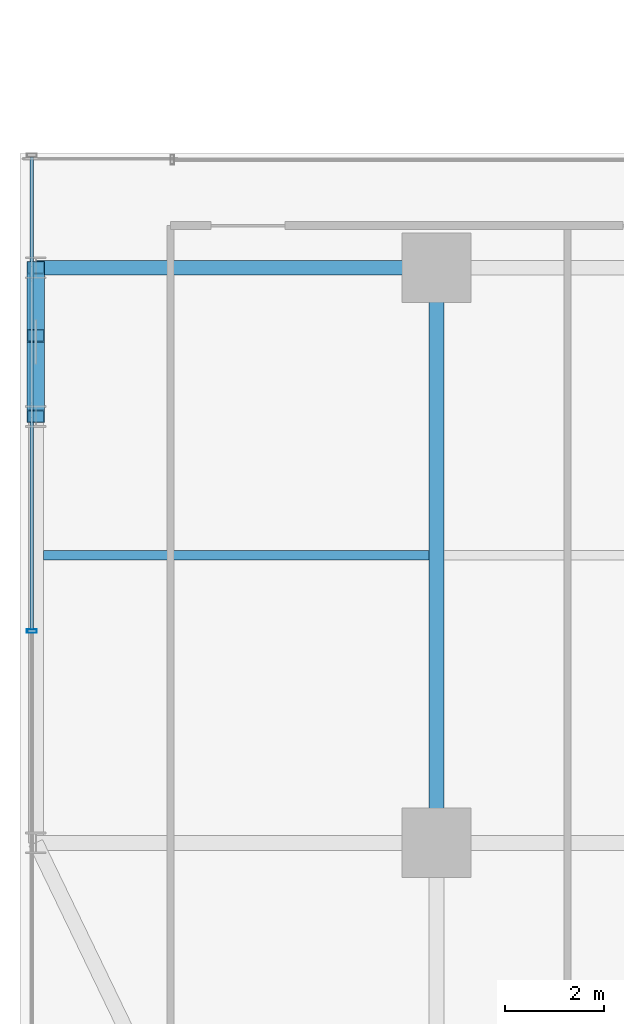
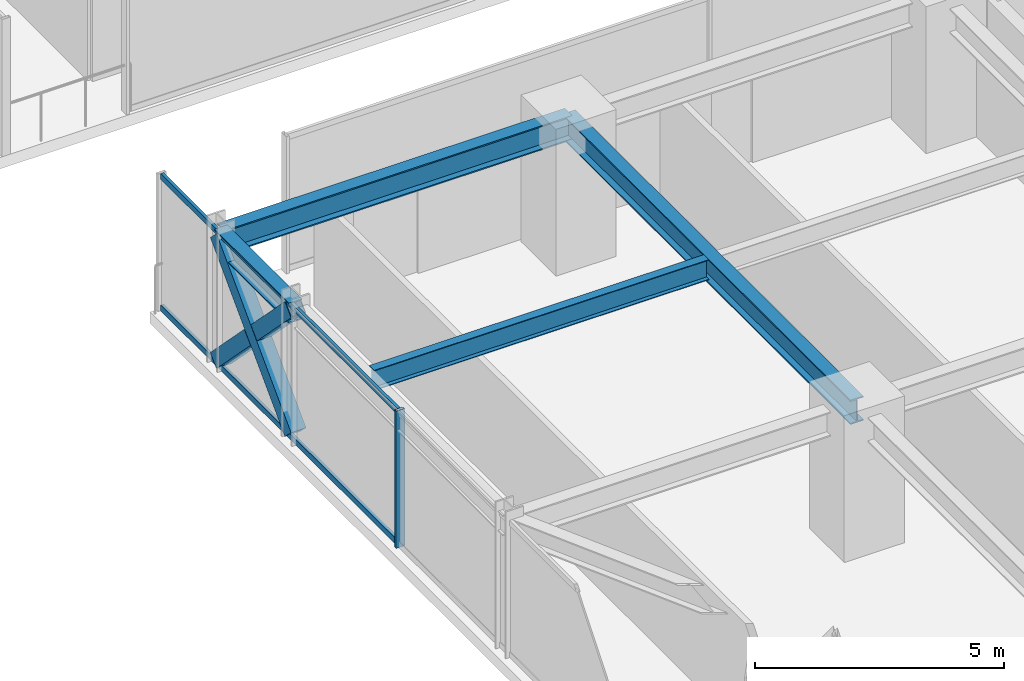
# One storey, part 7 of 43: 6 members, 4 beams, 1 element without a shape of its own.
"""IFC4 building model written with IfcOpenShell, lengths in metres."""

import ifcopenshell
import ifcopenshell.guid

model = None  # the IFC model being written
_history = None  # IfcOwnerHistory: only IFC2X3 demands one
_inside = {}  # id of a spatial element -> (the spatial element, [elements in it])
_under = {}  # id of a project, library or spatial element -> (it, [spatial elements below it])
_declared = {}  # id of a project -> (the project, [libraries it declares])
_typed = {}  # id of a type object -> (the type object, [elements of that type])
_made_of = {}  # id of a material, layer set ... -> (it, [elements and type objects made of it])


def new_model(schema):
    """Start an empty IFC model of exactly this schema.

    Asked for "IFC4X3", IfcOpenShell would pick the latest addendum, in which some entities
    have other attributes; the version numbers below select the first issue.
    IFC2X3 requires an IfcOwnerHistory on every rooted entity: one is made here for all.
    """
    global model, _history
    if schema == "IFC4X3":
        model = ifcopenshell.file(schema_version=(4, 3, 0, 0))
    else:
        model = ifcopenshell.file(schema=schema)
    _inside.clear()
    _under.clear()
    _declared.clear()
    _typed.clear()
    _made_of.clear()
    _history = None
    if model.schema == "IFC2X3":
        org = make("IfcOrganization", Name="unknown")
        user = make(
            "IfcPersonAndOrganization",
            ThePerson=make("IfcPerson", FamilyName="unknown"),
            TheOrganization=org,
        )
        app = make(
            "IfcApplication",
            ApplicationDeveloper=org,
            Version="unknown",
            ApplicationFullName="unknown",
            ApplicationIdentifier="unknown",
        )
        _history = make(
            "IfcOwnerHistory",
            OwningUser=user,
            OwningApplication=app,
            ChangeAction="ADDED",
            CreationDate=0,
        )
    return model


def make(cls, **values):
    """One entity of the class cls with the attributes given. An attribute that is None is left unset."""
    return model.create_entity(
        cls, **{name: value for name, value in values.items() if value is not None}
    )


def rooted(cls, **values):
    """An entity with a GlobalId (a new one), such as an element, a storey or a relation."""
    return make(cls, GlobalId=ifcopenshell.guid.new(), OwnerHistory=_history, **values)


def si_unit(unit_type, name, prefix=None):
    """IfcSIUnit, for example si_unit("LENGTHUNIT", "METRE", prefix="MILLI")."""
    return make("IfcSIUnit", UnitType=unit_type, Prefix=prefix, Name=name)


def assignment(units):
    """IfcUnitAssignment: the units of a project."""
    return None if units is None else make("IfcUnitAssignment", Units=units)


def point(xyz):
    """IfcCartesianPoint."""
    return None if xyz is None else make("IfcCartesianPoint", Coordinates=xyz)


def direction(xyz):
    """IfcDirection."""
    return None if xyz is None else make("IfcDirection", DirectionRatios=xyz)


def frame(location, z_axis=None, x_axis=None):
    """IfcAxis2Placement3D, a coordinate frame: its origin and axes. An axis left out is left unset."""
    return make(
        "IfcAxis2Placement3D",
        Location=point(location),
        Axis=direction(z_axis),
        RefDirection=direction(x_axis),
    )


def frame_2d(location, x_axis=None):
    """IfcAxis2Placement2D, a coordinate frame in the plane: its origin and x axis."""
    return make(
        "IfcAxis2Placement2D", Location=point(location), RefDirection=direction(x_axis)
    )


def origin():
    """The frame at (0, 0, 0) with its axes left unset."""
    return frame((0.0, 0.0, 0.0))


def origin_2d():
    """The frame at (0, 0) in the plane with its x axis left unset."""
    return frame_2d((0.0, 0.0))


def place(relative_to, where):
    """IfcLocalPlacement: puts the frame where relative to a parent placement (None: the world)."""
    return make(
        "IfcLocalPlacement", PlacementRelTo=relative_to, RelativePlacement=where
    )


def context(
    kind, dimensions, precision=None, world=None, true_north=None, identifier=None
):
    """IfcGeometricRepresentationContext, for example the 3D "Model" context."""
    return make(
        "IfcGeometricRepresentationContext",
        ContextIdentifier=identifier,
        ContextType=kind,
        CoordinateSpaceDimension=dimensions,
        Precision=precision,
        WorldCoordinateSystem=world,
        TrueNorth=true_north,
    )


def subcontext(parent, identifier, kind, view, scale=None):
    """IfcGeometricRepresentationSubContext, for example "Body" below "Model"."""
    return make(
        "IfcGeometricRepresentationSubContext",
        ContextIdentifier=identifier,
        ContextType=kind,
        ParentContext=parent,
        TargetScale=scale,
        TargetView=view,
    )


def project(units=None, contexts=None):
    """IfcProject with its units and contexts."""
    return rooted(
        "IfcProject",
        Name="project",
        RepresentationContexts=contexts,
        UnitsInContext=assignment(units),
    )


def spatial(cls, under=None, at=None, **own):
    """A site, building, storey or space (cls), placed at a placement, below another one or the project."""
    s = rooted(cls, ObjectPlacement=at, **own)
    if under is not None:
        _under.setdefault(under.id(), (under, []))[1].append(s)
    return s


def profile(cls, at=None, kind="AREA", **sizes):
    """A parametric profile (cls). Its sizes go by their IFC names, for example OverallWidth=200.0."""
    return make(cls, ProfileType=kind, Position=at, **sizes)


def hollow_rectangle(**sizes):
    """IfcRectangleHollowProfileDef."""
    return profile("IfcRectangleHollowProfileDef", **sizes)


def i_section(**sizes):
    """IfcIShapeProfileDef."""
    return profile("IfcIShapeProfileDef", **sizes)


def extrude(swept, where, along, depth):
    """IfcExtrudedAreaSolid: the profile swept, set in the frame where, extruded along a direction by depth."""
    return make(
        "IfcExtrudedAreaSolid",
        SweptArea=swept,
        Position=where,
        ExtrudedDirection=direction(along),
        Depth=depth,
    )


def shape(context_of_items, identifier, shape_type, items):
    """IfcShapeRepresentation: the items that make up one representation, for example the "Body"."""
    return make(
        "IfcShapeRepresentation",
        ContextOfItems=context_of_items,
        RepresentationIdentifier=identifier,
        RepresentationType=shape_type,
        Items=items,
    )


def source(mapping_origin, context_of_items, identifier, shape_type, items):
    """IfcRepresentationMap: a shape defined once, which mapped items show again and again."""
    return make(
        "IfcRepresentationMap",
        MappingOrigin=mapping_origin,
        MappedRepresentation=shape(context_of_items, identifier, shape_type, items),
    )


def transform(
    local_origin,
    x_axis=None,
    y_axis=None,
    z_axis=None,
    scale=None,
    scale2=None,
    scale3=None,
    uniform=True,
):
    """IfcCartesianTransformationOperator3D, or its non-uniform kind. x_axis, y_axis, z_axis: its Axis1, 2, 3."""
    if uniform:
        return make(
            "IfcCartesianTransformationOperator3D",
            Axis1=direction(x_axis),
            Axis2=direction(y_axis),
            LocalOrigin=point(local_origin),
            Scale=scale,
            Axis3=direction(z_axis),
        )
    return make(
        "IfcCartesianTransformationOperator3DnonUniform",
        Axis1=direction(x_axis),
        Axis2=direction(y_axis),
        LocalOrigin=point(local_origin),
        Scale=scale,
        Axis3=direction(z_axis),
        Scale2=scale2,
        Scale3=scale3,
    )


def mapped(mapping_source, mapping_target):
    """IfcMappedItem: shows the shape of a source again, moved by a transform."""
    return make(
        "IfcMappedItem", MappingSource=mapping_source, MappingTarget=mapping_target
    )


def material(Name=None, Category=None):
    """IfcMaterial."""
    return make("IfcMaterial", Name=Name, Category=Category)


def material_profile(
    of_material, cross_section, Name=None, Category=None, Priority=None
):
    """IfcMaterialProfile: a cross section and its material."""
    return make(
        "IfcMaterialProfile",
        Name=Name,
        Material=of_material,
        Profile=cross_section,
        Priority=Priority,
        Category=Category,
    )


def profile_set(profiles, Name=None, composite=None):
    """IfcMaterialProfileSet."""
    return make(
        "IfcMaterialProfileSet",
        Name=Name,
        MaterialProfiles=profiles,
        CompositeProfile=composite,
    )


def made_of(thing, what):
    """Note that an element or type object is made of a material, layer set ...; save() writes the relation."""
    if what is not None:
        _made_of.setdefault(what.id(), (what, []))[1].append(thing)
    return thing


def type_object(cls, material=None, **own):
    """A type object (cls), such as IfcWallType, which elements share."""
    return made_of(rooted(cls, **own), material)


def element(
    cls,
    number,
    at=None,
    inside=None,
    cuts=None,
    type_object=None,
    material=None,
    context=None,
    identifier="Body",
    shape_type=None,
    held_by="IfcProductDefinitionShape",
    body=None,
    shapes=None,
    **own,
):
    """One element of the class cls, such as IfcWall. Its Tag is "e" and its number.

    at: its placement. inside: the storey or other place that contains it. cuts: it is an
    opening in that element (IfcRelVoidsElement). A single representation is given by context,
    identifier, shape_type and body (its items); several are given by shapes. held_by: the class
    of the entity that holds the representations. save() writes the other relations.
    """
    e = rooted(cls, Tag="e%d" % number, ObjectPlacement=at, **own)
    if body is not None:
        shapes = [shape(context, identifier, shape_type, body)]
    if shapes is not None:
        e.Representation = make(held_by, Representations=shapes)
    if inside is not None:
        _inside.setdefault(inside.id(), (inside, []))[1].append(e)
    if cuts is not None:
        rooted(
            "IfcRelVoidsElement", RelatingBuildingElement=cuts, RelatedOpeningElement=e
        )
    if type_object is not None:
        _typed.setdefault(type_object.id(), (type_object, []))[1].append(e)
    return made_of(e, material)


def aggregate(whole, parts):
    """IfcRelAggregates: a whole, such as a stair, and the parts it consists of."""
    return rooted("IfcRelAggregates", RelatingObject=whole, RelatedObjects=parts)


def save(model, path):
    """Write the relations noted so far, then the file.

    IfcRelAggregates (storeys below a building ...), IfcRelContainedInSpatialStructure (elements
    in a storey), IfcRelDefinesByType, IfcRelAssociatesMaterial and IfcRelDeclares: one each for
    every whole, place, type object, material and project.
    """
    for whole, parts in _under.values():
        aggregate(whole, parts)
    for where, things in _inside.values():
        rooted(
            "IfcRelContainedInSpatialStructure",
            RelatedElements=things,
            RelatingStructure=where,
        )
    for kind, things in _typed.values():
        rooted("IfcRelDefinesByType", RelatedObjects=things, RelatingType=kind)
    for what, things in _made_of.values():
        rooted("IfcRelAssociatesMaterial", RelatedObjects=things, RelatingMaterial=what)
    for by, libraries in _declared.values():
        rooted("IfcRelDeclares", RelatingContext=by, RelatedDefinitions=libraries)
    model.write(path)


model = new_model("IFC4")

# Units and contexts
model_context = context("Model", 3, precision=1e-05, world=origin(), true_north=direction((0.0, 1.0)))
body_context = subcontext(model_context, "Body", "Model", "MODEL_VIEW")
ifc_project = project(units=[si_unit("LENGTHUNIT", "METRE"), si_unit("AREAUNIT", "SQUARE_METRE"), si_unit("VOLUMEUNIT", "CUBIC_METRE"), si_unit("PLANEANGLEUNIT", "RADIAN"), si_unit("MASSUNIT", "GRAM", prefix="KILO")], contexts=[model_context])

# Site, building, storey
site_placement = place(None, origin())
site = spatial("IfcSite", under=ifc_project, at=site_placement, CompositionType="ELEMENT")
building_placement = place(site_placement, origin())
building = spatial("IfcBuilding", under=site, at=building_placement, Name="Nahalor Promenade Grand Hotel", CompositionType="ELEMENT")
storey_placement = place(building_placement, frame((0.0, 0.0, 57.949951171875)))
storey = spatial("IfcBuildingStorey", under=building, at=storey_placement, Name="L13", CompositionType="ELEMENT", Elevation=57.949951171875)

# Beams
ifc_material_1 = material(Name="Steel S355JR", Category="steel")
ifc_material_profile_1 = material_profile(ifc_material_1, i_section(OverallWidth=0.3, OverallDepth=0.6, WebThickness=0.0155, FlangeThickness=0.03, at=origin_2d()), Name="HEB 600")
ifc_profile_set_1 = profile_set([ifc_material_profile_1], Name="Steel S355JR")
beam_type_1 = type_object("IfcBeamType", Name="Beam-Girder-HEB600", PredefinedType="BEAM", material=ifc_profile_set_1)
shared_shape_1 = source(origin(), body_context, "Body", "SweptSolid", [
    extrude(i_section(OverallWidth=0.3, OverallDepth=0.6, WebThickness=0.0155, FlangeThickness=0.03, at=origin_2d()), origin(), (0.0, 0.0, 1.0), 11.60009765625),
])
beam_1_placement = place(storey_placement, frame((-17.0, -17.0, 3.070068359375), z_axis=(0.0, 1.0, 0.0), x_axis=(-1.0, 0.0, 0.0)))
element("IfcBeam", 1, at=beam_1_placement, inside=storey, type_object=beam_type_1, Name="BM-L13-GY-0-1", PredefinedType="BEAM", context=body_context, shape_type="MappedRepresentation", body=[
    mapped(shared_shape_1, transform((0.0, 0.0, 0.0), scale=1.0)),
])
ifc_material_profile_2 = material_profile(ifc_material_1, i_section(OverallWidth=0.3, OverallDepth=0.5, WebThickness=0.0145, FlangeThickness=0.028, at=origin_2d()), Name="HEB 500")
ifc_profile_set_2 = profile_set([ifc_material_profile_2], Name="Steel S355JR")
beam_type_2 = type_object("IfcBeamType", Name="Beam-Spandrel-HEB500", PredefinedType="SPANDREL", material=ifc_profile_set_2)
shared_shape_2 = source(origin(), body_context, "Body", "SweptSolid", [
    extrude(i_section(OverallWidth=0.3, OverallDepth=0.5, WebThickness=0.0145, FlangeThickness=0.028, at=origin_2d()), origin(), (0.0, 0.0, 1.0), 3.0),
])
beam_2_placement = place(storey_placement, frame((-25.080078125, -8.39990234375, 3.1201171875), z_axis=(0.0, 1.0, 0.0), x_axis=(-1.0, 0.0, 0.0)))
element("IfcBeam", 2, at=beam_2_placement, inside=storey, type_object=beam_type_2, Name="BM-L13-SP-W-1", PredefinedType="SPANDREL", context=body_context, shape_type="MappedRepresentation", body=[
    mapped(shared_shape_2, transform((0.0, 0.0, 0.0), scale=1.0)),
])
shared_shape_3 = source(origin(), body_context, "Body", "SweptSolid", [
    extrude(i_section(OverallWidth=0.3, OverallDepth=0.6, WebThickness=0.0155, FlangeThickness=0.03, at=origin_2d()), origin(), (0.0, 0.0, 1.0), 8.080078125),
])
beam_3_placement = place(storey_placement, frame((-25.080078125, -5.39990234375, 3.070068359375), z_axis=(1.0, 0.0, 0.0), x_axis=(0.0, 1.0, 0.0)))
element("IfcBeam", 3, at=beam_3_placement, inside=storey, type_object=beam_type_1, Name="BM-L13-GX-1-0", PredefinedType="BEAM", context=body_context, shape_type="MappedRepresentation", body=[
    mapped(shared_shape_3, transform((0.0, 0.0, 0.0), scale=1.0)),
])
ifc_material_profile_3 = material_profile(ifc_material_1, i_section(OverallWidth=0.2, OverallDepth=0.5, WebThickness=0.0102, FlangeThickness=0.016, at=origin_2d()), Name="IPE 500")
ifc_profile_set_3 = profile_set([ifc_material_profile_3], Name="Steel S355JR")
beam_type_3 = type_object("IfcBeamType", Name="Beam-Joist-IPE500", PredefinedType="JOIST", material=ifc_profile_set_3)
shared_shape_4 = source(origin(), body_context, "Body", "SweptSolid", [
    extrude(i_section(OverallWidth=0.2, OverallDepth=0.5, WebThickness=0.0102, FlangeThickness=0.016, at=origin_2d()), origin(), (0.0, 0.0, 1.0), 7.780029296875),
])
beam_4_placement = place(storey_placement, frame((-24.929931640625, -11.199951171875, 3.1201171875), z_axis=(1.0, 0.0, 0.0), x_axis=(0.0, 1.0, 0.0)))
element("IfcBeam", 4, at=beam_4_placement, inside=storey, type_object=beam_type_3, Name="BM-L13-JSW-0-0", PredefinedType="JOIST", context=body_context, shape_type="MappedRepresentation", body=[
    mapped(shared_shape_4, transform((0.0, 0.0, 0.0), scale=1.0)),
])

# Members
ifc_material_profile_4 = material_profile(ifc_material_1, hollow_rectangle(XDim=0.35, YDim=0.35, WallThickness=0.02, at=origin_2d()), Name="SHS 350x350x20")
ifc_profile_set_4 = profile_set([ifc_material_profile_4], Name="Steel S355JR")
member_type_1 = type_object("IfcMemberType", Name="Mem-VoidBrace-SHS350", PredefinedType="BRACE", material=ifc_profile_set_4)
shared_shape_5 = source(origin(), body_context, "Body", "SweptSolid", [
    extrude(hollow_rectangle(XDim=0.35, YDim=0.35, WallThickness=0.02, at=origin_2d()), origin(), (0.0, 0.0, 1.0), 1.959228515625),
])
member_1_placement = place(storey_placement, frame((-25.080078125, -5.39990234375, 0.150146484375), z_axis=(0.0, -0.698960471031, 0.715160303663), x_axis=(1.0, 0.0, 0.0)))
element("IfcMember", 5, at=member_1_placement, inside=storey, type_object=member_type_1, Name="EXO-L13-VX2-W0A", PredefinedType="BRACE", context=body_context, shape_type="MappedRepresentation", body=[
    mapped(shared_shape_5, transform((0.0, 0.0, 0.0), scale=1.0)),
])
shared_shape_6 = source(origin(), body_context, "Body", "SweptSolid", [
    extrude(hollow_rectangle(XDim=0.35, YDim=0.35, WallThickness=0.02, at=origin_2d()), origin(), (0.0, 0.0, 1.0), 1.958984375),
])
member_2_placement = place(storey_placement, frame((-25.080078125, -7.03076171875, 1.81884765625), z_axis=(0.0, -0.698896728293, 0.715222596946), x_axis=(1.0, 0.0, 0.0)))
element("IfcMember", 6, at=member_2_placement, inside=storey, type_object=member_type_1, Name="EXO-L13-VX2-W0B", PredefinedType="BRACE", context=body_context, shape_type="MappedRepresentation", body=[
    mapped(shared_shape_6, transform((0.0, 0.0, 0.0), scale=1.0)),
])
shared_shape_7 = source(origin(), body_context, "Body", "SweptSolid", [
    extrude(hollow_rectangle(XDim=0.35, YDim=0.35, WallThickness=0.02, at=origin_2d()), origin(), (0.0, 0.0, 1.0), 4.292236328125),
])
member_3_placement = place(storey_placement, frame((-25.080078125, -8.39990234375, 0.150146484375), z_axis=(0.0, 0.698926335708, 0.715193664159), x_axis=(-1.0, 0.0, 0.0)))
element("IfcMember", 7, at=member_3_placement, inside=storey, type_object=member_type_1, Name="EXO-L13-VX1-W0", PredefinedType="BRACE", context=body_context, shape_type="MappedRepresentation", body=[
    mapped(shared_shape_7, transform((0.0, 0.0, 0.0), scale=1.0)),
])

# Curtain wall, members
ifc_material_2 = material(Name="Anodised Bronze Aluminium EN AW-6063 T6", Category="aluminium")
curtain_wall_type = type_object("IfcCurtainWallType", Name="CW3 Elliptical-Void Collar Unitised Curtain Wall", PredefinedType="USERDEFINED", material=ifc_material_2)
curtain_wall_placement = place(storey_placement, origin())
curtain_wall = element("IfcCurtainWall", 8, at=curtain_wall_placement, inside=storey, type_object=curtain_wall_type, Name="L13 Curtain Wall CW-L13-W-1", ObjectType="UNITISED_CURTAIN_WALL", PredefinedType="USERDEFINED")
ifc_material_profile_5 = material_profile(ifc_material_2, hollow_rectangle(XDim=0.07, YDim=0.2, WallThickness=0.005, at=origin_2d()), Name="CWM 70x200x5")
ifc_profile_set_5 = profile_set([ifc_material_profile_5], Name="Anodised Bronze Aluminium EN AW-6063 T6")
member_type_2 = type_object("IfcMemberType", Name="CWM3 Void Collar Mullion 70x200", PredefinedType="MULLION", material=ifc_profile_set_5)
shared_shape_8 = source(origin(), body_context, "Body", "SweptSolid", [
    extrude(hollow_rectangle(XDim=0.07, YDim=0.2, WallThickness=0.005, at=origin_2d()), origin(), (0.0, 0.0, 1.0), 3.3701171875),
])
member_4_placement = place(storey_placement, frame((-25.159912109375, -12.72998046875, 0.0), z_axis=(0.0, 0.0, 1.0), x_axis=(0.0, 1.0, 0.0)))
member_4 = element("IfcMember", 9, at=member_4_placement, type_object=member_type_2, Name="CW-L13-W-1 Mullion 1", PredefinedType="MULLION", context=body_context, shape_type="MappedRepresentation", body=[
    mapped(shared_shape_8, transform((0.0, 0.0, 0.0), scale=1.0)),
])
ifc_material_profile_6 = material_profile(ifc_material_2, hollow_rectangle(XDim=0.07, YDim=0.14, WallThickness=0.004, at=origin_2d()), Name="CWT 70x140x4")
ifc_profile_set_6 = profile_set([ifc_material_profile_6], Name="Anodised Bronze Aluminium EN AW-6063 T6")
member_type_3 = type_object("IfcMemberType", Name="CWT3 Void Collar Transom 70x140", PredefinedType="USERDEFINED", material=ifc_profile_set_6)
shared_shape_9 = source(origin(), body_context, "Body", "SweptSolid", [
    extrude(hollow_rectangle(XDim=0.07, YDim=0.14, WallThickness=0.004, at=origin_2d()), origin(), (0.0, 0.0, 1.0), 9.525146484375),
])
member_5_placement = place(storey_placement, frame((-25.159912109375, -12.695068359375, 0.070068359375), z_axis=(0.0, 1.0, 0.0), x_axis=(-1.0, 0.0, 0.0)))
member_5 = element("IfcMember", 10, at=member_5_placement, type_object=member_type_3, Name="CW-L13-W-1 Transom 1-0", ObjectType="TRANSOM", PredefinedType="USERDEFINED", context=body_context, shape_type="MappedRepresentation", body=[
    mapped(shared_shape_9, transform((0.0, 0.0, 0.0), scale=1.0)),
])
member_6_placement = place(storey_placement, frame((-25.159912109375, -12.695068359375, 3.300048828125), z_axis=(0.0, 1.0, 0.0), x_axis=(-1.0, 0.0, 0.0)))
member_6 = element("IfcMember", 11, at=member_6_placement, type_object=member_type_3, Name="CW-L13-W-1 Transom 1-1", ObjectType="TRANSOM", PredefinedType="USERDEFINED", context=body_context, shape_type="MappedRepresentation", body=[
    mapped(shared_shape_9, transform((0.0, 0.0, 0.0), scale=1.0)),
])
aggregate(curtain_wall, [member_4, member_5, member_6])

save(model, "model.ifc")
